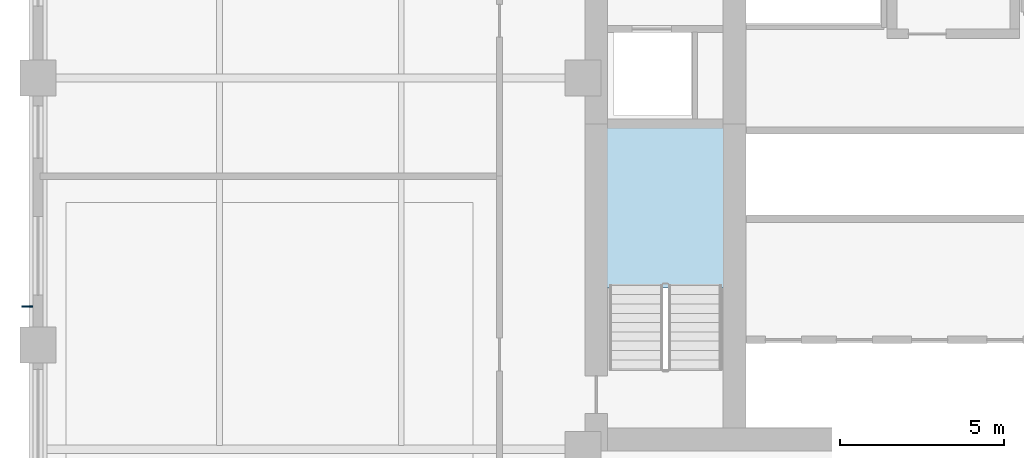
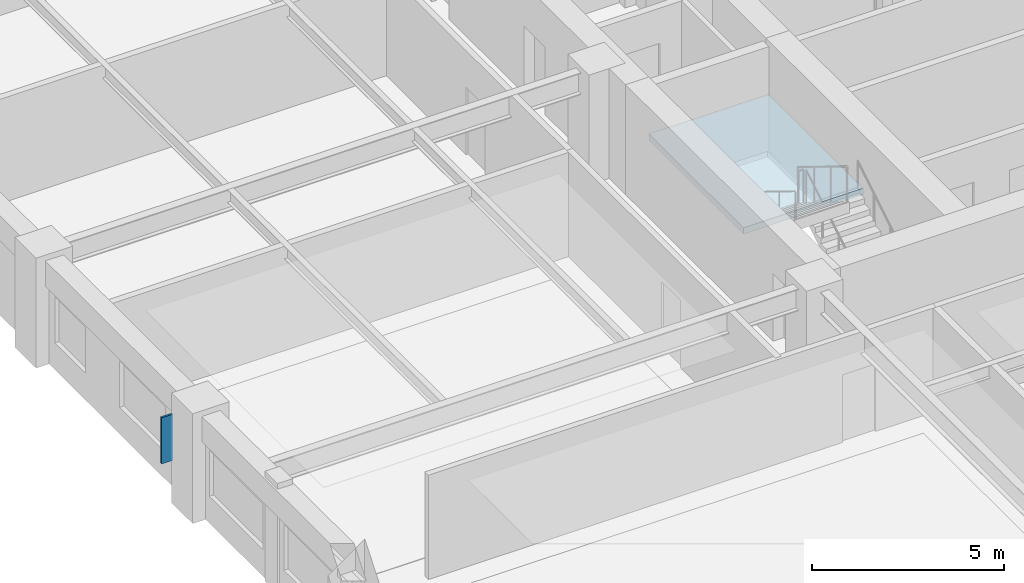
# One storey, part 2 of 12: 1 plate, 1 slab, 1 element without a shape of its own.
"""IFC4 building model written with IfcOpenShell, lengths in metres."""

from ifc_helpers import new_model, si_unit, direction, frame, origin, origin_2d, place, context, subcontext, project, spatial, polyline, rectangle, outline, extrude, material, layer, layer_set, type_object, element, aggregate, save


model = new_model("IFC4")

# Units and contexts
model_context = context("Model", 3, precision=1e-05, world=origin(), true_north=direction((0.0, 1.0)))
body_context = subcontext(model_context, "Body", "Model", "MODEL_VIEW")
ifc_project = project(units=[si_unit("LENGTHUNIT", "METRE"), si_unit("AREAUNIT", "SQUARE_METRE"), si_unit("VOLUMEUNIT", "CUBIC_METRE"), si_unit("PLANEANGLEUNIT", "RADIAN"), si_unit("MASSUNIT", "GRAM", prefix="KILO")], contexts=[model_context])

# Site, building, storey
site_placement = place(None, origin())
site = spatial("IfcSite", under=ifc_project, at=site_placement, CompositionType="ELEMENT")
building_placement = place(site_placement, origin())
building = spatial("IfcBuilding", under=site, at=building_placement, Name="Nhamokura Convention Tower", CompositionType="ELEMENT")
storey_placement = place(building_placement, frame((0.0, 0.0, 49.35009765625)))
storey = spatial("IfcBuildingStorey", under=building, at=storey_placement, Name="L10", CompositionType="ELEMENT", Elevation=49.35009765625)

# Plate
ifc_material_1 = material(Name="Anodised bronze aluminium AA6063-T6", Category="aluminium")
plate_type = type_object("IfcPlateType", Name="BronzeSolarFin_1", PredefinedType="USERDEFINED", material=ifc_material_1)
plate_placement = place(storey_placement, frame((3.669921875, 25.0166015625, 0.85009765625), z_axis=(0.0, 0.0, 1.0), x_axis=(1.0, 0.0, 0.0)))
element("IfcPlate", 1, at=plate_placement, inside=storey, type_object=plate_type, Name="L10 Bronze Solar Shading Fin WEST 2", ObjectType="SOLAR_FIN", PredefinedType="USERDEFINED", context=body_context, shape_type="SweptSolid", body=[
    extrude(rectangle(XDim=0.340087890625, YDim=0.06005859375, at=origin_2d()), origin(), (0.0, 0.0, 1.0), 1.469970703125),
])

# Stair, slab
ifc_material_2 = material(Name="Concrete C40/50", Category="concrete")
stair_type = type_object("IfcStairType", Name="TowerCoreStair_1650", PredefinedType="HALF_TURN_STAIR", material=ifc_material_2)
stair_placement = place(storey_placement, origin())
stair = element("IfcStair", 2, at=stair_placement, inside=storey, type_object=stair_type, Name="L10 West Core Smokeproof Stair ST-01", PredefinedType="HALF_TURN_STAIR")
ifc_material_3 = material(Name="Concrete C40/50", Category="concrete")
ifc_layer = layer(ifc_material_3, 0.199951171875)
ifc_layer_set = layer_set([ifc_layer], Name="StairLandingSlab_200")
slab_type = type_object("IfcSlabType", Name="StairLandingSlab_200", PredefinedType="LANDING", material=ifc_layer_set)
slab_placement = place(storey_placement, frame((0.0, 0.0, 1.5498046875)))
slab = element("IfcSlab", 3, at=slab_placement, type_object=slab_type, Name="ST-01 landing 1", PredefinedType="LANDING", context=body_context, shape_type="SweptSolid", body=[
    extrude(outline(polyline([(24.97998046875, 25.5849609375), (24.97998046875, 30.530029296875), (21.3701171875, 30.530029296875), (21.3701171875, 25.5849609375), (24.97998046875, 25.5849609375)])), origin(), (0.0, 0.0, 1.0), 0.2001953125),
])
aggregate(stair, [slab])

save(model, "model.ifc")
